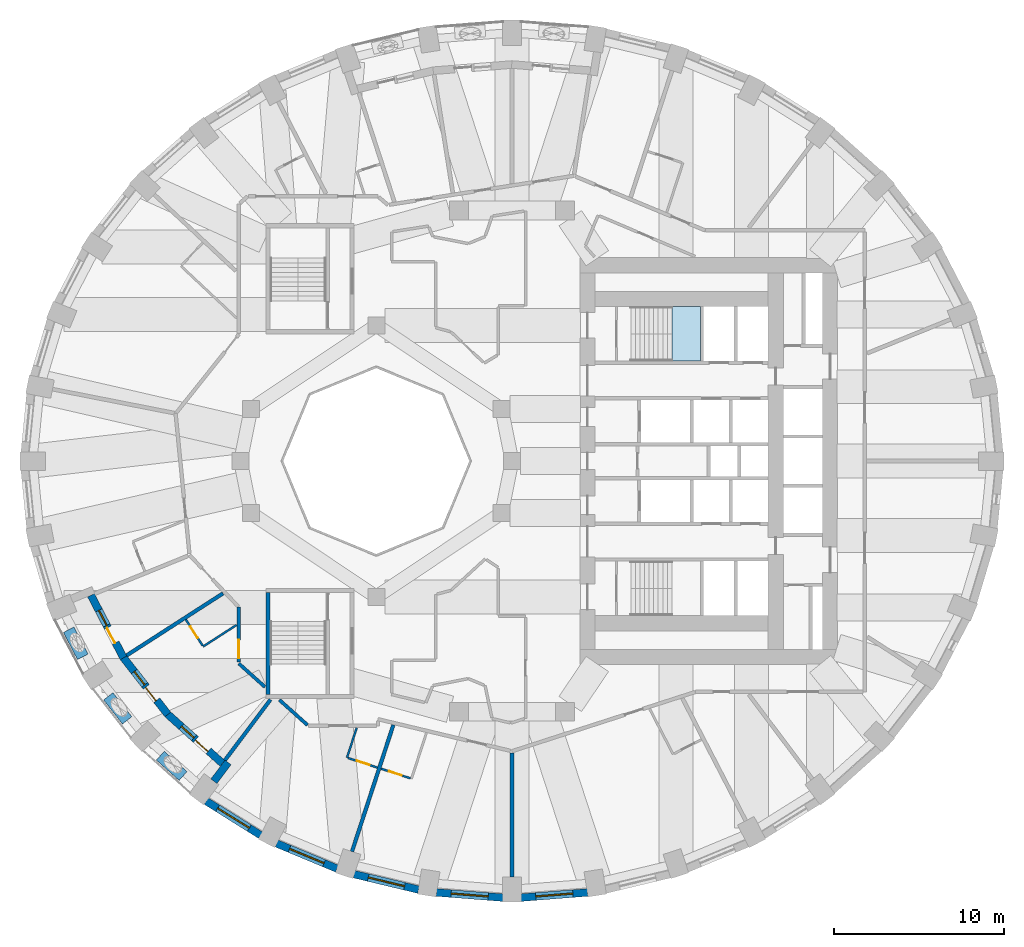
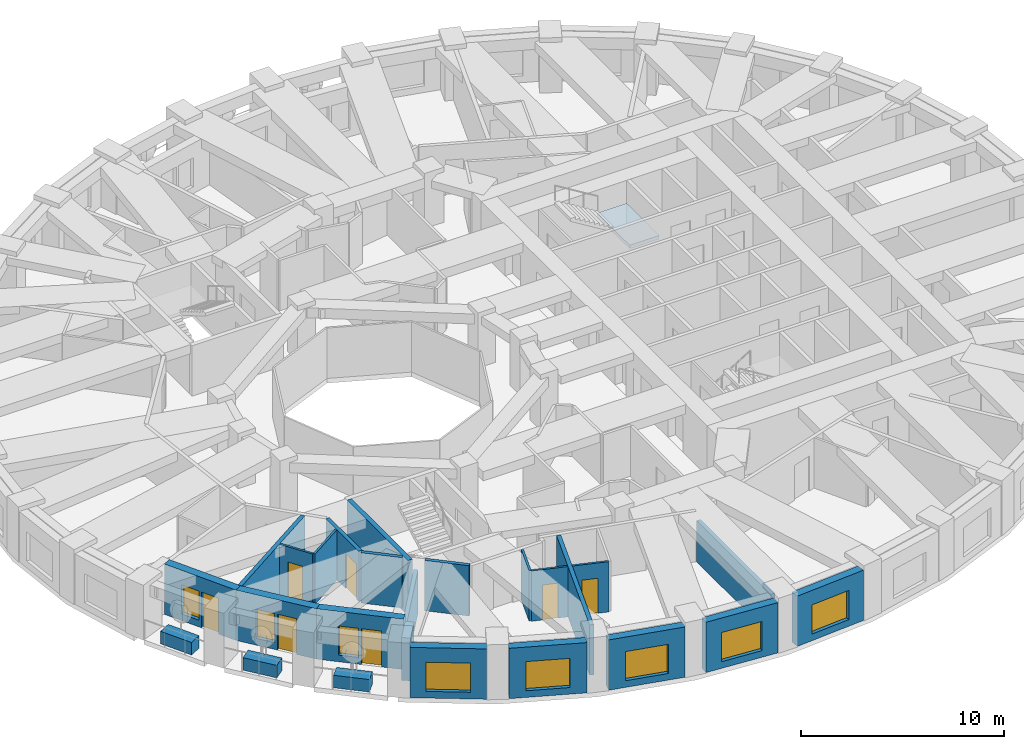
# One storey, part 3 of 13: 25 walls, 8 windows, 7 doors, 1 slab, 15 openings, 1 element without a shape of its own.
"""IFC4 building model written with IfcOpenShell, lengths in metres."""

from ifc_helpers import new_model, si_unit, direction, frame, frame_2d, origin, place, context, subcontext, project, spatial, polyline, rectangle, outline, extrude, material, layer, layer_set, constituent, constituent_set, type_object, element, fill, aggregate, save


model = new_model("IFC4")

# Units and contexts
model_context = context("Model", 3, precision=1e-05, world=origin(), true_north=direction((0.0, 1.0)))
body_context = subcontext(model_context, "Body", "Model", "MODEL_VIEW")
ifc_project = project(units=[si_unit("LENGTHUNIT", "METRE"), si_unit("AREAUNIT", "SQUARE_METRE"), si_unit("VOLUMEUNIT", "CUBIC_METRE"), si_unit("PLANEANGLEUNIT", "RADIAN"), si_unit("MASSUNIT", "GRAM", prefix="KILO")], contexts=[model_context])

# Site, building, storey
site_placement = place(None, origin())
site = spatial("IfcSite", under=ifc_project, at=site_placement, CompositionType="ELEMENT")
building_placement = place(site_placement, origin())
building = spatial("IfcBuilding", under=site, at=building_placement, Name="Taillehof Tower", CompositionType="ELEMENT")
storey_placement = place(building_placement, frame((0.0, 0.0, 51.39990234375)))
storey = spatial("IfcBuildingStorey", under=building, at=storey_placement, Name="L13", CompositionType="ELEMENT", Elevation=51.39990234375)

# Stair, slab
ifc_material_1 = material(Name="Concrete C40/50", Category="concrete")
stair_type = type_object("IfcStairType", Name="Exit stair half-turn", PredefinedType="HALF_TURN_STAIR", material=ifc_material_1)
stair_placement = place(storey_placement, origin())
stair = element("IfcStair", 1, at=stair_placement, inside=storey, type_object=stair_type, Name="Exit stair S1", PredefinedType="HALF_TURN_STAIR")
ifc_material_2 = material(Name="Concrete C40/50", Category="concrete")
ifc_layer_1 = layer(ifc_material_2, 0.2099609375)
ifc_layer_set_1 = layer_set([ifc_layer_1], Name="Stair landing C40/50 210")
slab_type = type_object("IfcSlabType", Name="Stair landing C40/50 210", PredefinedType="LANDING", material=ifc_layer_set_1)
slab_placement = place(storey_placement, frame((0.0, 0.0, 1.440185546875)))
slab = element("IfcSlab", 2, at=slab_placement, type_object=slab_type, Name="S1 landing 1", PredefinedType="LANDING", context=body_context, shape_type="SweptSolid", body=[
    extrude(outline(polyline([(9.429931640625, 5.89990234375), (11.10009765625, 5.89990234375), (11.10009765625, 9.10009765625), (9.429931640625, 9.10009765625), (9.429931640625, 5.89990234375)])), origin(), (0.0, 0.0, 1.0), 0.2099609375),
])
aggregate(stair, [slab])

# Wall, opening, window
ifc_material_3 = material(Name="Brick masonry", Category="masonry")
ifc_layer_2 = layer(ifc_material_3, 0.449951171875)
ifc_layer_set_2 = layer_set([ifc_layer_2], Name="Brick infill wall 450")
wall_type_1 = type_object("IfcWallType", Name="Brick infill wall 450", PredefinedType="SOLIDWALL", material=ifc_layer_set_2)
wall_1_placement = place(storey_placement, frame((-18.02294921875, -20.043701171875, 0.0), z_axis=(0.0, 0.0, 1.0), x_axis=(0.847635480093, -0.530579016629, 0.0)))
wall_1 = element("IfcWall", 3, at=wall_1_placement, inside=storey, type_object=wall_type_1, Name="Brick wall L13 bay 24", PredefinedType="SOLIDWALL", context=body_context, shape_type="SweptSolid", body=[
    extrude(rectangle(XDim=3.782470703125, YDim=0.449951171875, at=frame_2d((1.89111328125, 0.0))), origin(), (0.0, 0.0, 1.0), 3.02001953125),
])
opening_1_placement = place(wall_1_placement, frame((0.791259765625, 0.0, 0.39990234375)))
opening_1 = element("IfcOpeningElement", 4, at=opening_1_placement, cuts=wall_1, Name="Opening W1", PredefinedType="OPENING", context=body_context, shape_type="SweptSolid", body=[
    extrude(rectangle(XDim=2.199951171875, YDim=1.75, at=frame_2d((1.10009765625, 0.875))), frame((0.0, 0.23486328125, 0.0), z_axis=(0.0, -1.0, 0.0), x_axis=(1.0, 0.0, 0.0)), (0.0, 0.0, 1.0), 0.469970703125),
])
ifc_material_4 = material(Name="Aluminium window frame with clear double glazing", Category="aluminium")
window_type_1 = type_object("IfcWindowType", Name="Deep-set window 2200x1750", PartitioningType="SINGLE_PANEL", PredefinedType="WINDOW", material=ifc_material_4)
window_1_placement = place(opening_1_placement, origin())
window_1 = element("IfcWindow", 5, at=window_1_placement, inside=storey, type_object=window_type_1, Name="W1", OverallHeight=1.75, OverallWidth=2.199951171875, PartitioningType="SINGLE_PANEL", PredefinedType="WINDOW", context=body_context, shape_type="SweptSolid", body=[
    extrude(rectangle(XDim=2.199951171875, YDim=1.75, at=frame_2d((1.10009765625, 0.875))), frame((0.0, 0.034912109375, 0.0), z_axis=(0.0, -1.0, 0.0), x_axis=(1.0, 0.0, 0.0)), (0.0, 0.0, 1.0), 0.06005859375),
])
fill(opening_1, window_1)

wall_2_placement = place(storey_placement, frame((-13.875, -22.537353515625, 0.0), z_axis=(0.0, 0.0, 1.0), x_axis=(0.923031964282, -0.384723267966, 0.0)))
wall_2 = element("IfcWall", 6, at=wall_2_placement, inside=storey, type_object=wall_type_1, Name="Brick wall L13 bay 25", PredefinedType="SOLIDWALL", context=body_context, shape_type="SweptSolid", body=[
    extrude(rectangle(XDim=3.8564453125, YDim=0.449951171875, at=frame_2d((1.92822265625, 0.0))), origin(), (0.0, 0.0, 1.0), 3.02001953125),
])
opening_2_placement = place(wall_2_placement, frame((0.828125, 0.0, 0.39990234375)))
opening_2 = element("IfcOpeningElement", 7, at=opening_2_placement, cuts=wall_2, Name="Opening W1", PredefinedType="OPENING", context=body_context, shape_type="SweptSolid", body=[
    extrude(rectangle(XDim=2.199951171875, YDim=1.75, at=frame_2d((1.10009765625, 0.875))), frame((0.0, 0.23486328125, 0.0), z_axis=(0.0, -1.0, 0.0), x_axis=(1.0, 0.0, 0.0)), (0.0, 0.0, 1.0), 0.469970703125),
])
window_2_placement = place(opening_2_placement, origin())
window_2 = element("IfcWindow", 8, at=window_2_placement, inside=storey, type_object=window_type_1, Name="W1", OverallHeight=1.75, OverallWidth=2.199951171875, PartitioningType="SINGLE_PANEL", PredefinedType="WINDOW", context=body_context, shape_type="SweptSolid", body=[
    extrude(rectangle(XDim=2.199951171875, YDim=1.75, at=frame_2d((1.10009765625, 0.875))), frame((0.0, 0.034912109375, 0.0), z_axis=(0.0, -1.0, 0.0), x_axis=(1.0, 0.0, 0.0)), (0.0, 0.0, 1.0), 0.06005859375),
])
fill(opening_2, window_2)

wall_3_placement = place(storey_placement, frame((-9.3076171875, -24.349609375, 0.0), z_axis=(0.0, 0.0, 1.0), x_axis=(0.972496561493, -0.232917233979, 0.0)))
wall_3 = element("IfcWall", 9, at=wall_3_placement, inside=storey, type_object=wall_type_1, Name="Brick wall L13 bay 26", PredefinedType="SOLIDWALL", context=body_context, shape_type="SweptSolid", body=[
    extrude(rectangle(XDim=3.910888671875, YDim=0.449951171875, at=frame_2d((1.95556640625, 0.0))), origin(), (0.0, 0.0, 1.0), 3.02001953125),
])
opening_3_placement = place(wall_3_placement, frame((0.855224609375, 0.0, 0.39990234375)))
opening_3 = element("IfcOpeningElement", 10, at=opening_3_placement, cuts=wall_3, Name="Opening W1", PredefinedType="OPENING", context=body_context, shape_type="SweptSolid", body=[
    extrude(rectangle(XDim=2.199951171875, YDim=1.75, at=frame_2d((1.10009765625, 0.875))), frame((0.0, 0.23486328125, 0.0), z_axis=(0.0, -1.0, 0.0), x_axis=(1.0, 0.0, 0.0)), (0.0, 0.0, 1.0), 0.469970703125),
])
window_3_placement = place(opening_3_placement, origin())
window_3 = element("IfcWindow", 11, at=window_3_placement, inside=storey, type_object=window_type_1, Name="W1", OverallHeight=1.75, OverallWidth=2.199951171875, PartitioningType="SINGLE_PANEL", PredefinedType="WINDOW", context=body_context, shape_type="SweptSolid", body=[
    extrude(rectangle(XDim=2.199951171875, YDim=1.75, at=frame_2d((1.10009765625, 0.875))), frame((0.0, 0.034912109375, 0.0), z_axis=(0.0, -1.0, 0.0), x_axis=(1.0, 0.0, 0.0)), (0.0, 0.0, 1.0), 0.06005859375),
])
fill(opening_3, window_3)

wall_4_placement = place(storey_placement, frame((-4.457275390625, -25.42578125, 0.0), z_axis=(0.0, 0.0, 1.0), x_axis=(0.996955972145, -0.077966592873, 0.0)))
wall_4 = element("IfcWall", 12, at=wall_4_placement, inside=storey, type_object=wall_type_1, Name="Brick wall L13 bay 27", PredefinedType="SOLIDWALL", context=body_context, shape_type="SweptSolid", body=[
    extrude(rectangle(XDim=3.939208984375, YDim=0.449951171875, at=frame_2d((1.9697265625, 0.0))), origin(), (0.0, 0.0, 1.0), 3.02001953125),
])
opening_4_placement = place(wall_4_placement, frame((0.86962890625, 0.0, 0.39990234375)))
opening_4 = element("IfcOpeningElement", 13, at=opening_4_placement, cuts=wall_4, Name="Opening W1", PredefinedType="OPENING", context=body_context, shape_type="SweptSolid", body=[
    extrude(rectangle(XDim=2.199951171875, YDim=1.75, at=frame_2d((1.10009765625, 0.875))), frame((0.0, 0.23486328125, 0.0), z_axis=(0.0, -1.0, 0.0), x_axis=(1.0, 0.0, 0.0)), (0.0, 0.0, 1.0), 0.469970703125),
])
window_4_placement = place(opening_4_placement, origin())
window_4 = element("IfcWindow", 14, at=window_4_placement, inside=storey, type_object=window_type_1, Name="W1", OverallHeight=1.75, OverallWidth=2.199951171875, PartitioningType="SINGLE_PANEL", PredefinedType="WINDOW", context=body_context, shape_type="SweptSolid", body=[
    extrude(rectangle(XDim=2.199951171875, YDim=1.75, at=frame_2d((1.10009765625, 0.875))), frame((0.0, 0.034912109375, 0.0), z_axis=(0.0, -1.0, 0.0), x_axis=(1.0, 0.0, 0.0)), (0.0, 0.0, 1.0), 0.06005859375),
])
fill(opening_4, window_4)

wall_5_placement = place(storey_placement, frame((0.530029296875, -25.73291015625, 0.0), z_axis=(0.0, 0.0, 1.0), x_axis=(0.996955972145, 0.077966592873, 0.0)))
wall_5 = element("IfcWall", 15, at=wall_5_placement, inside=storey, type_object=wall_type_1, Name="Brick wall L13 bay 28", PredefinedType="SOLIDWALL", context=body_context, shape_type="SweptSolid", body=[
    extrude(rectangle(XDim=3.939208984375, YDim=0.449951171875, at=frame_2d((1.9697265625, 0.0))), origin(), (0.0, 0.0, 1.0), 3.02001953125),
])
opening_5_placement = place(wall_5_placement, frame((0.86962890625, 0.0, 0.39990234375)))
opening_5 = element("IfcOpeningElement", 16, at=opening_5_placement, cuts=wall_5, Name="Opening W1", PredefinedType="OPENING", context=body_context, shape_type="SweptSolid", body=[
    extrude(rectangle(XDim=2.199951171875, YDim=1.75, at=frame_2d((1.10009765625, 0.875))), frame((0.0, 0.23486328125, 0.0), z_axis=(0.0, -1.0, 0.0), x_axis=(1.0, 0.0, 0.0)), (0.0, 0.0, 1.0), 0.469970703125),
])
window_5_placement = place(opening_5_placement, origin())
window_5 = element("IfcWindow", 17, at=window_5_placement, inside=storey, type_object=window_type_1, Name="W1", OverallHeight=1.75, OverallWidth=2.199951171875, PartitioningType="SINGLE_PANEL", PredefinedType="WINDOW", context=body_context, shape_type="SweptSolid", body=[
    extrude(rectangle(XDim=2.199951171875, YDim=1.75, at=frame_2d((1.10009765625, 0.875))), frame((0.0, 0.034912109375, 0.0), z_axis=(0.0, -1.0, 0.0), x_axis=(1.0, 0.0, 0.0)), (0.0, 0.0, 1.0), 0.06005859375),
])
fill(opening_5, window_5)

# Wall
wall_6_placement = place(storey_placement, frame((-17.572021484375, -18.87060546875, 0.0), z_axis=(0.0, 0.0, 1.0), x_axis=(0.601262851241, 0.799051302306, 0.0)))
element("IfcWall", 18, at=wall_6_placement, inside=storey, type_object=wall_type_1, Name="Brick reveal L13 pocket 6", PredefinedType="SOLIDWALL", context=body_context, shape_type="SweptSolid", body=[
    extrude(rectangle(XDim=1.39111328125, YDim=0.449951171875, at=frame_2d((0.695556640625, 0.0))), origin(), (0.0, 0.0, 1.0), 2.570068359375),
])

# Wall, openings, door, window
wall_7_placement = place(storey_placement, frame((-24.81787109375, -7.90478515625, 0.0), z_axis=(0.0, 0.0, 1.0), x_axis=(0.461517123562, -0.887131300687, 0.0)))
wall_7 = element("IfcWall", 19, at=wall_7_placement, inside=storey, type_object=wall_type_1, Name="Brick wall L13 pocket bay 21", PredefinedType="SOLIDWALL", context=body_context, shape_type="SweptSolid", body=[
    extrude(rectangle(XDim=4.16162109375, YDim=0.449951171875, at=frame_2d((2.080810546875, 0.0))), origin(), (0.0, 0.0, 1.0), 3.02001953125),
])
opening_6_placement = place(wall_7_placement, frame((1.005859375, 0.0, 0.39990234375)))
opening_6 = element("IfcOpeningElement", 20, at=opening_6_placement, cuts=wall_7, Name="Opening W5", PredefinedType="OPENING", context=body_context, shape_type="SweptSolid", body=[
    extrude(rectangle(XDim=1.0, YDim=1.75, at=frame_2d((0.5, 0.875))), frame((0.0, 0.23486328125, 0.0), z_axis=(0.0, -1.0, 0.0), x_axis=(1.0, 0.0, 0.0)), (0.0, 0.0, 1.0), 0.469970703125),
])
opening_7_placement = place(wall_7_placement, frame((2.15576171875, 0.0, 0.0)))
opening_7 = element("IfcOpeningElement", 21, at=opening_7_placement, cuts=wall_7, Name="Opening D1394", PredefinedType="OPENING", context=body_context, shape_type="SweptSolid", body=[
    extrude(rectangle(XDim=1.0, YDim=2.14990234375, at=frame_2d((0.5, 1.074951171875))), frame((0.0, 0.23486328125, 0.0), z_axis=(0.0, -1.0, 0.0), x_axis=(1.0, 0.0, 0.0)), (0.0, 0.0, 1.0), 0.469970703125),
])
ifc_material_5 = material(Name="Aluminium door frame with clear double glazing", Category="aluminium")
door_type_1 = type_object("IfcDoorType", Name="Balcony door 1000x2150", OperationType="SINGLE_SWING_RIGHT", PredefinedType="DOOR", material=ifc_material_5)
door_1_placement = place(opening_7_placement, frame((1.0, 0.0, 0.0), z_axis=(0.0, 0.0, 1.0), x_axis=(-1.0, 0.0, 0.0)))
door_1 = element("IfcDoor", 22, at=door_1_placement, inside=storey, type_object=door_type_1, Name="Balcony door L13 bay 21", OperationType="SINGLE_SWING_RIGHT", OverallHeight=2.14990234375, OverallWidth=1.0, PredefinedType="DOOR", context=body_context, shape_type="SweptSolid", body=[
    extrude(rectangle(XDim=1.0, YDim=2.14990234375, at=frame_2d((0.5, 1.074951171875))), frame((0.0, 0.0751953125, 0.0), z_axis=(0.0, -1.0, 0.0), x_axis=(1.0, 0.0, 0.0)), (0.0, 0.0, 1.0), 0.050048828125),
])
fill(opening_7, door_1)
ifc_material_6 = material(Name="Aluminium window frame with clear double glazing", Category="aluminium")
window_type_2 = type_object("IfcWindowType", Name="Fixed window 1000x1750", PartitioningType="SINGLE_PANEL", PredefinedType="WINDOW", material=ifc_material_6)
window_6_placement = place(opening_6_placement, origin())
window_6 = element("IfcWindow", 23, at=window_6_placement, inside=storey, type_object=window_type_2, Name="W5", OverallHeight=1.75, OverallWidth=1.0, PartitioningType="SINGLE_PANEL", PredefinedType="WINDOW", context=body_context, shape_type="SweptSolid", body=[
    extrude(rectangle(XDim=1.0, YDim=1.75, at=frame_2d((0.5, 0.875))), frame((0.0, 0.034912109375, 0.0), z_axis=(0.0, -1.0, 0.0), x_axis=(1.0, 0.0, 0.0)), (0.0, 0.0, 1.0), 0.06005859375),
])
fill(opening_6, window_6)

wall_8_placement = place(storey_placement, frame((-22.919677734375, -11.56201171875, 0.0), z_axis=(0.0, 0.0, 1.0), x_axis=(0.615586464456, -0.788069352772, 0.0)))
wall_8 = element("IfcWall", 24, at=wall_8_placement, inside=storey, type_object=wall_type_1, Name="Brick wall L13 pocket bay 22", PredefinedType="SOLIDWALL", context=body_context, shape_type="SweptSolid", body=[
    extrude(rectangle(XDim=4.27880859375, YDim=0.449951171875, at=frame_2d((2.139404296875, 0.0))), origin(), (0.0, 0.0, 1.0), 3.02001953125),
])
opening_8_placement = place(wall_8_placement, frame((1.064453125, 0.0, 0.39990234375)))
opening_8 = element("IfcOpeningElement", 25, at=opening_8_placement, cuts=wall_8, Name="Opening W5", PredefinedType="OPENING", context=body_context, shape_type="SweptSolid", body=[
    extrude(rectangle(XDim=1.0, YDim=1.75, at=frame_2d((0.5, 0.875))), frame((0.0, 0.23486328125, 0.0), z_axis=(0.0, -1.0, 0.0), x_axis=(1.0, 0.0, 0.0)), (0.0, 0.0, 1.0), 0.469970703125),
])
opening_9_placement = place(wall_8_placement, frame((2.21435546875, 0.0, 0.0)))
opening_9 = element("IfcOpeningElement", 26, at=opening_9_placement, cuts=wall_8, Name="Opening D1395", PredefinedType="OPENING", context=body_context, shape_type="SweptSolid", body=[
    extrude(rectangle(XDim=1.0, YDim=2.14990234375, at=frame_2d((0.5, 1.074951171875))), frame((0.0, 0.23486328125, 0.0), z_axis=(0.0, -1.0, 0.0), x_axis=(1.0, 0.0, 0.0)), (0.0, 0.0, 1.0), 0.469970703125),
])
door_2_placement = place(opening_9_placement, frame((1.0, 0.0, 0.0), z_axis=(0.0, 0.0, 1.0), x_axis=(-1.0, 0.0, 0.0)))
door_2 = element("IfcDoor", 27, at=door_2_placement, inside=storey, type_object=door_type_1, Name="Balcony door L13 bay 22", OperationType="SINGLE_SWING_LEFT", OverallHeight=2.14990234375, OverallWidth=1.0, PredefinedType="DOOR", context=body_context, shape_type="SweptSolid", body=[
    extrude(rectangle(XDim=1.0, YDim=2.14990234375, at=frame_2d((0.5, 1.074951171875))), frame((0.0, 0.0751953125, 0.0), z_axis=(0.0, -1.0, 0.0), x_axis=(1.0, 0.0, 0.0)), (0.0, 0.0, 1.0), 0.050048828125),
])
fill(opening_9, door_2)
window_7_placement = place(opening_8_placement, origin())
window_7 = element("IfcWindow", 28, at=window_7_placement, inside=storey, type_object=window_type_2, Name="W5", OverallHeight=1.75, OverallWidth=1.0, PartitioningType="SINGLE_PANEL", PredefinedType="WINDOW", context=body_context, shape_type="SweptSolid", body=[
    extrude(rectangle(XDim=1.0, YDim=1.75, at=frame_2d((0.5, 0.875))), frame((0.0, 0.034912109375, 0.0), z_axis=(0.0, -1.0, 0.0), x_axis=(1.0, 0.0, 0.0)), (0.0, 0.0, 1.0), 0.06005859375),
])
fill(opening_8, window_7)

wall_9_placement = place(storey_placement, frame((-20.312744140625, -14.905029296875, 0.0), z_axis=(0.0, 0.0, 1.0), x_axis=(0.744616407434, -0.667492626012, 0.0)))
wall_9 = element("IfcWall", 29, at=wall_9_placement, inside=storey, type_object=wall_type_1, Name="Brick wall L13 pocket bay 23", PredefinedType="SOLIDWALL", context=body_context, shape_type="SweptSolid", body=[
    extrude(rectangle(XDim=4.365234375, YDim=0.449951171875, at=frame_2d((2.1826171875, 0.0))), origin(), (0.0, 0.0, 1.0), 3.02001953125),
])
opening_10_placement = place(wall_9_placement, frame((1.107666015625, 0.0, 0.39990234375)))
opening_10 = element("IfcOpeningElement", 30, at=opening_10_placement, cuts=wall_9, Name="Opening W5", PredefinedType="OPENING", context=body_context, shape_type="SweptSolid", body=[
    extrude(rectangle(XDim=1.0, YDim=1.75, at=frame_2d((0.5, 0.875))), frame((0.0, 0.23486328125, 0.0), z_axis=(0.0, -1.0, 0.0), x_axis=(1.0, 0.0, 0.0)), (0.0, 0.0, 1.0), 0.469970703125),
])
opening_11_placement = place(wall_9_placement, frame((2.2578125, 0.0, 0.0)))
opening_11 = element("IfcOpeningElement", 31, at=opening_11_placement, cuts=wall_9, Name="Opening D1396", PredefinedType="OPENING", context=body_context, shape_type="SweptSolid", body=[
    extrude(rectangle(XDim=1.0, YDim=2.14990234375, at=frame_2d((0.5, 1.074951171875))), frame((0.0, 0.23486328125, 0.0), z_axis=(0.0, -1.0, 0.0), x_axis=(1.0, 0.0, 0.0)), (0.0, 0.0, 1.0), 0.469970703125),
])
door_3_placement = place(opening_11_placement, frame((1.0, 0.0, 0.0), z_axis=(0.0, 0.0, 1.0), x_axis=(-1.0, 0.0, 0.0)))
door_3 = element("IfcDoor", 32, at=door_3_placement, inside=storey, type_object=door_type_1, Name="Balcony door L13 bay 23", OperationType="SINGLE_SWING_LEFT", OverallHeight=2.14990234375, OverallWidth=1.0, PredefinedType="DOOR", context=body_context, shape_type="SweptSolid", body=[
    extrude(rectangle(XDim=1.0, YDim=2.14990234375, at=frame_2d((0.5, 1.074951171875))), frame((0.0, 0.0751953125, 0.0), z_axis=(0.0, -1.0, 0.0), x_axis=(1.0, 0.0, 0.0)), (0.0, 0.0, 1.0), 0.050048828125),
])
fill(opening_11, door_3)
window_8_placement = place(opening_10_placement, origin())
window_8 = element("IfcWindow", 33, at=window_8_placement, inside=storey, type_object=window_type_2, Name="W5", OverallHeight=1.75, OverallWidth=1.0, PartitioningType="SINGLE_PANEL", PredefinedType="WINDOW", context=body_context, shape_type="SweptSolid", body=[
    extrude(rectangle(XDim=1.0, YDim=1.75, at=frame_2d((0.5, 0.875))), frame((0.0, 0.034912109375, 0.0), z_axis=(0.0, -1.0, 0.0), x_axis=(1.0, 0.0, 0.0)), (0.0, 0.0, 1.0), 0.06005859375),
])
fill(opening_10, window_8)

# Wall
ifc_material_7 = material(Name="Gypsum board on steel studs, two layers each side", Category="steel")
ifc_layer_3 = layer(ifc_material_7, 0.199951171875)
ifc_layer_set_3 = layer_set([ifc_layer_3], Name="Compartment wall corridor 200")
wall_type_2 = type_object("IfcWallType", Name="Compartment wall corridor 200", PredefinedType="PARTITIONING", material=ifc_layer_set_3)
wall_10_placement = place(storey_placement, frame((-14.559326171875, -13.314208984375, 0.0), z_axis=(0.0, 0.0, 1.0), x_axis=(-0.744636171002, 0.667470578254, 0.0)))
element("IfcWall", 34, at=wall_10_placement, inside=storey, type_object=wall_type_2, Name="Compartment wall", PredefinedType="PARTITIONING", context=body_context, shape_type="SweptSolid", body=[
    extrude(rectangle(XDim=2.069091796875, YDim=0.199951171875, at=frame_2d((1.03466796875, 0.0))), origin(), (0.0, 0.0, 1.0), 3.02001953125),
])

# Wall, opening, door
wall_11_placement = place(storey_placement, frame((-16.10009765625, -11.85302734375, 0.0), z_axis=(0.0, 0.0, 1.0), x_axis=(0.0, 1.0, 0.0)))
wall_11 = element("IfcWall", 35, at=wall_11_placement, inside=storey, type_object=wall_type_2, Name="Compartment wall", PredefinedType="PARTITIONING", context=body_context, shape_type="SweptSolid", body=[
    extrude(rectangle(XDim=3.244140625, YDim=0.199951171875, at=frame_2d((1.6220703125, 0.0))), origin(), (0.0, 0.0, 1.0), 3.02001953125),
])
opening_12_placement = place(wall_11_placement, frame((0.219970703125, 0.0, 0.0)))
opening_12 = element("IfcOpeningElement", 36, at=opening_12_placement, cuts=wall_11, Name="Opening D1355", PredefinedType="OPENING", context=body_context, shape_type="SweptSolid", body=[
    extrude(rectangle(XDim=1.10009765625, YDim=2.10009765625, at=frame_2d((0.550048828125, 1.050048828125))), frame((0.0, 0.10986328125, 0.0), z_axis=(0.0, -1.0, 0.0), x_axis=(1.0, 0.0, 0.0)), (0.0, 0.0, 1.0), 0.219970703125),
])
ifc_material_8 = material(Name="Timber door leaf in steel frame", Category="steel")
door_type_2 = type_object("IfcDoorType", Name="Suite entrance door EI 30 1100 x 2100", OperationType="SINGLE_SWING_LEFT", PredefinedType="DOOR", material=ifc_material_8)
door_4_placement = place(opening_12_placement, origin())
door_4 = element("IfcDoor", 37, at=door_4_placement, inside=storey, type_object=door_type_2, Name="D1355", OperationType="SINGLE_SWING_RIGHT", OverallHeight=2.10009765625, OverallWidth=1.10009765625, PredefinedType="DOOR", context=body_context, shape_type="SweptSolid", body=[
    extrude(rectangle(XDim=1.10009765625, YDim=2.10009765625, at=frame_2d((0.550048828125, 1.050048828125))), frame((0.0, 0.02490234375, 0.0), z_axis=(0.0, -1.0, 0.0), x_axis=(1.0, 0.0, 0.0)), (0.0, 0.0, 1.0), 0.050048828125),
])
fill(opening_12, door_4)

# Walls
wall_12_placement = place(storey_placement, frame((-12.053955078125, -15.559814453125, 0.0), z_axis=(0.0, 0.0, 1.0), x_axis=(-0.744625700487, 0.66748225907, 0.0)))
element("IfcWall", 38, at=wall_12_placement, inside=storey, type_object=wall_type_2, Name="Compartment wall", PredefinedType="PARTITIONING", context=body_context, shape_type="SweptSolid", body=[
    extrude(rectangle(XDim=2.231201171875, YDim=0.199951171875, at=frame_2d((1.11572265625, 0.0))), origin(), (0.0, 0.0, 1.0), 3.02001953125),
])
ifc_material_9 = material(Name="Gypsum board on double steel studs with mineral wool", Category="steel")
ifc_layer_4 = layer(ifc_material_9, 0.219970703125)
ifc_layer_set_4 = layer_set([ifc_layer_4], Name="Compartment wall guest room 220")
wall_type_3 = type_object("IfcWallType", Name="Compartment wall guest room 220", PredefinedType="PARTITIONING", material=ifc_layer_set_4)
wall_13_placement = place(storey_placement, frame((-22.717041015625, -11.455810546875, 0.0), z_axis=(0.0, 0.0, 1.0), x_axis=(0.840775666807, 0.541383669965, 0.0)))
element("IfcWall", 39, at=wall_13_placement, inside=storey, type_object=wall_type_3, Name="Compartment wall", PredefinedType="PARTITIONING", context=body_context, shape_type="SweptSolid", body=[
    extrude(rectangle(XDim=6.758544921875, YDim=0.219970703125, at=frame_2d((3.37939453125, 0.0))), origin(), (0.0, 0.0, 1.0), 3.02001953125),
])
wall_14_placement = place(storey_placement, frame((-16.926513671875, -17.638427734375, 0.0), z_axis=(0.0, 0.0, 1.0), x_axis=(0.601158965663, 0.799129462605, 0.0)))
element("IfcWall", 40, at=wall_14_placement, inside=storey, type_object=wall_type_3, Name="Compartment wall", PredefinedType="PARTITIONING", context=body_context, shape_type="SweptSolid", body=[
    extrude(rectangle(XDim=4.480224609375, YDim=0.219970703125, at=frame_2d((2.240234375, 0.0))), origin(), (0.0, 0.0, 1.0), 2.570068359375),
])
wall_15_placement = place(storey_placement, frame((-9.429443359375, -23.01416015625, 0.0), z_axis=(0.0, 0.0, 1.0), x_axis=(0.310249775859, 0.950655077607, 0.0)))
element("IfcWall", 41, at=wall_15_placement, inside=storey, type_object=wall_type_3, Name="Compartment wall", PredefinedType="PARTITIONING", context=body_context, shape_type="SweptSolid", body=[
    extrude(rectangle(XDim=7.849609375, YDim=0.219970703125, at=frame_2d((3.9248046875, 0.0))), origin(), (0.0, 0.0, 1.0), 3.02001953125),
])
wall_16_placement = place(storey_placement, frame((0.0, -24.5, 0.0), z_axis=(0.0, 0.0, 1.0), x_axis=(0.0, 1.0, 0.0)))
element("IfcWall", 42, at=wall_16_placement, inside=storey, type_object=wall_type_3, Name="Compartment wall", PredefinedType="PARTITIONING", context=body_context, shape_type="SweptSolid", body=[
    extrude(rectangle(XDim=7.2998046875, YDim=0.219970703125, at=frame_2d((3.64990234375, 0.0))), origin(), (0.0, 0.0, 1.0), 2.47021484375),
])
ifc_material_10 = material(Name="Gypsum board on steel studs, moisture resistant", Category="steel")
ifc_layer_5 = layer(ifc_material_10, 0.1201171875)
ifc_layer_set_5 = layer_set([ifc_layer_5], Name="En-suite wall 120")
wall_type_4 = type_object("IfcWallType", Name="En-suite wall 120", PredefinedType="PARTITIONING", material=ifc_layer_set_5)
wall_17_placement = place(storey_placement, frame((-16.23388671875, -9.65966796875, 0.0), z_axis=(0.0, 0.0, 1.0), x_axis=(-0.840731269954, -0.541452612628, 0.0)))
element("IfcWall", 43, at=wall_17_placement, inside=storey, type_object=wall_type_4, Name="En-suite wall", PredefinedType="PARTITIONING", context=body_context, shape_type="SweptSolid", body=[
    extrude(rectangle(XDim=2.3427734375, YDim=0.1201171875, at=frame_2d((1.17138671875, 0.0))), origin(), (0.0, 0.0, 1.0), 3.02001953125),
])
wall_18_placement = place(storey_placement, frame((-9.152587890625, -15.71923828125, 0.0), z_axis=(0.0, 0.0, 1.0), x_axis=(-0.310326382186, -0.950630073435, 0.0)))
element("IfcWall", 44, at=wall_18_placement, inside=storey, type_object=wall_type_4, Name="En-suite wall", PredefinedType="PARTITIONING", context=body_context, shape_type="SweptSolid", body=[
    extrude(rectangle(XDim=1.85107421875, YDim=0.1201171875, at=frame_2d((0.925537109375, 0.0))), origin(), (0.0, 0.0, 1.0), 3.02001953125),
])

# Wall, opening, door
wall_19_placement = place(storey_placement, frame((-18.23583984375, -10.877685546875, 0.0), z_axis=(0.0, 0.0, 1.0), x_axis=(-0.54164058606, 0.840610180484, 0.0)))
wall_19 = element("IfcWall", 45, at=wall_19_placement, inside=storey, type_object=wall_type_4, Name="En-suite wall", PredefinedType="PARTITIONING", context=body_context, shape_type="SweptSolid", body=[
    extrude(rectangle(XDim=1.830078125, YDim=0.1201171875, at=frame_2d((0.9150390625, 0.0))), origin(), (0.0, 0.0, 1.0), 3.02001953125),
])
opening_13_placement = place(wall_19_placement, frame((0.5400390625, 0.0, 0.0)))
opening_13 = element("IfcOpeningElement", 46, at=opening_13_placement, cuts=wall_19, Name="Opening D1356", PredefinedType="OPENING", context=body_context, shape_type="SweptSolid", body=[
    extrude(rectangle(XDim=0.800048828125, YDim=2.10009765625, at=frame_2d((0.39990234375, 1.050048828125))), frame((0.0, 0.070068359375, 0.0), z_axis=(0.0, -1.0, 0.0), x_axis=(1.0, 0.0, 0.0)), (0.0, 0.0, 1.0), 0.14013671875),
])
ifc_material_11 = material(Name="Timber door leaf in steel frame", Category="steel")
door_type_3 = type_object("IfcDoorType", Name="En-suite door 800 x 2100", OperationType="SINGLE_SWING_LEFT", PredefinedType="DOOR", material=ifc_material_11)
door_5_placement = place(opening_13_placement, origin())
door_5 = element("IfcDoor", 47, at=door_5_placement, inside=storey, type_object=door_type_3, Name="D1356", OperationType="SINGLE_SWING_RIGHT", OverallHeight=2.10009765625, OverallWidth=0.800048828125, PredefinedType="DOOR", context=body_context, shape_type="SweptSolid", body=[
    extrude(rectangle(XDim=0.800048828125, YDim=2.10009765625, at=frame_2d((0.39990234375, 1.050048828125))), frame((0.0, 0.02490234375, 0.0), z_axis=(0.0, -1.0, 0.0), x_axis=(1.0, 0.0, 0.0)), (0.0, 0.0, 1.0), 0.050048828125),
])
fill(opening_13, door_5)

wall_20_placement = place(storey_placement, frame((-9.669921875, -17.49755859375, 0.0), z_axis=(0.0, 0.0, 1.0), x_axis=(0.950678536911, -0.31017788357, 0.0)))
wall_20 = element("IfcWall", 48, at=wall_20_placement, inside=storey, type_object=wall_type_4, Name="En-suite wall", PredefinedType="PARTITIONING", context=body_context, shape_type="SweptSolid", body=[
    extrude(rectangle(XDim=1.830078125, YDim=0.1201171875, at=frame_2d((0.9150390625, 0.0))), origin(), (0.0, 0.0, 1.0), 3.02001953125),
])
opening_14_placement = place(wall_20_placement, frame((0.5400390625, 0.0, 0.0)))
opening_14 = element("IfcOpeningElement", 49, at=opening_14_placement, cuts=wall_20, Name="Opening D1358", PredefinedType="OPENING", context=body_context, shape_type="SweptSolid", body=[
    extrude(rectangle(XDim=0.800048828125, YDim=2.10009765625, at=frame_2d((0.39990234375, 1.050048828125))), frame((0.0, 0.070068359375, 0.0), z_axis=(0.0, -1.0, 0.0), x_axis=(1.0, 0.0, 0.0)), (0.0, 0.0, 1.0), 0.14013671875),
])
door_6_placement = place(opening_14_placement, origin())
door_6 = element("IfcDoor", 50, at=door_6_placement, inside=storey, type_object=door_type_3, Name="D1358", OperationType="SINGLE_SWING_LEFT", OverallHeight=2.10009765625, OverallWidth=0.800048828125, PredefinedType="DOOR", context=body_context, shape_type="SweptSolid", body=[
    extrude(rectangle(XDim=0.800048828125, YDim=2.10009765625, at=frame_2d((0.39990234375, 1.050048828125))), frame((0.0, 0.02490234375, 0.0), z_axis=(0.0, -1.0, 0.0), x_axis=(1.0, 0.0, 0.0)), (0.0, 0.0, 1.0), 0.050048828125),
])
fill(opening_14, door_6)

wall_21_placement = place(storey_placement, frame((-5.9814453125, -18.701416015625, 0.0), z_axis=(0.0, 0.0, 1.0), x_axis=(-0.950639191072, 0.310298450524, 0.0)))
wall_21 = element("IfcWall", 51, at=wall_21_placement, inside=storey, type_object=wall_type_4, Name="En-suite wall", PredefinedType="PARTITIONING", context=body_context, shape_type="SweptSolid", body=[
    extrude(rectangle(XDim=1.830078125, YDim=0.1201171875, at=frame_2d((0.9150390625, 0.0))), origin(), (0.0, 0.0, 1.0), 3.02001953125),
])
opening_15_placement = place(wall_21_placement, frame((0.5400390625, 0.0, 0.0)))
opening_15 = element("IfcOpeningElement", 52, at=opening_15_placement, cuts=wall_21, Name="Opening D1360", PredefinedType="OPENING", context=body_context, shape_type="SweptSolid", body=[
    extrude(rectangle(XDim=0.800048828125, YDim=2.10009765625, at=frame_2d((0.39990234375, 1.050048828125))), frame((0.0, 0.070068359375, 0.0), z_axis=(0.0, -1.0, 0.0), x_axis=(1.0, 0.0, 0.0)), (0.0, 0.0, 1.0), 0.14013671875),
])
door_7_placement = place(opening_15_placement, origin())
door_7 = element("IfcDoor", 53, at=door_7_placement, inside=storey, type_object=door_type_3, Name="D1360", OperationType="SINGLE_SWING_LEFT", OverallHeight=2.10009765625, OverallWidth=0.800048828125, PredefinedType="DOOR", context=body_context, shape_type="SweptSolid", body=[
    extrude(rectangle(XDim=0.800048828125, YDim=2.10009765625, at=frame_2d((0.39990234375, 1.050048828125))), frame((0.0, 0.02490234375, 0.0), z_axis=(0.0, -1.0, 0.0), x_axis=(1.0, 0.0, 0.0)), (0.0, 0.0, 1.0), 0.050048828125),
])
fill(opening_15, door_7)

# Walls
ifc_material_12 = material(Name="Concrete C30/37 precast", Category="concrete")
ifc_constituent_1 = constituent(ifc_material_12, Name="Structure", Category="concrete")
ifc_material_13 = material(Name="Insulated lining")
ifc_constituent_2 = constituent(ifc_material_13, Name="Lining")
ifc_constituent_set = constituent_set(constituents=[ifc_constituent_1, ifc_constituent_2], Name="Planter trough 700x750")
wall_type_5 = type_object("IfcWallType", Name="Planter trough 700x750", PredefinedType="USERDEFINED", material=ifc_constituent_set)
wall_22_placement = place(storey_placement, frame((-26.132568359375, -9.94091796875, 0.0), z_axis=(0.0, 0.0, 1.0), x_axis=(0.462501112253, -0.886618701114, 0.0)))
element("IfcWall", 54, at=wall_22_placement, inside=storey, type_object=wall_type_5, Name="Planter L13 bay 21", ObjectType="PLANTER", PredefinedType="USERDEFINED", context=body_context, shape_type="SweptSolid", body=[
    extrude(rectangle(XDim=1.800048828125, YDim=0.699951171875, at=frame_2d((0.89990234375, 0.0))), origin(), (0.0, 0.0, 1.0), 0.75),
])
wall_23_placement = place(storey_placement, frame((-23.79541015625, -13.8642578125, 0.0), z_axis=(0.0, 0.0, 1.0), x_axis=(0.616622746332, -0.787258781282, 0.0)))
element("IfcWall", 55, at=wall_23_placement, inside=storey, type_object=wall_type_5, Name="Planter L13 bay 22", ObjectType="PLANTER", PredefinedType="USERDEFINED", context=body_context, shape_type="SweptSolid", body=[
    extrude(rectangle(XDim=1.7998046875, YDim=0.699951171875, at=frame_2d((0.89990234375, 0.0))), origin(), (0.0, 0.0, 1.0), 0.75),
])
wall_24_placement = place(storey_placement, frame((-20.72998046875, -17.362548828125, 0.0), z_axis=(0.0, 0.0, 1.0), x_axis=(0.745535653445, -0.666465745139, 0.0)))
element("IfcWall", 56, at=wall_24_placement, inside=storey, type_object=wall_type_5, Name="Planter L13 bay 23", ObjectType="PLANTER", PredefinedType="USERDEFINED", context=body_context, shape_type="SweptSolid", body=[
    extrude(rectangle(XDim=1.800048828125, YDim=0.699951171875, at=frame_2d((0.89990234375, 0.0))), origin(), (0.0, 0.0, 1.0), 0.75),
])
ifc_material_14 = material(Name="Concrete C50/60", Category="concrete")
ifc_layer_6 = layer(ifc_material_14, 0.25)
ifc_layer_set_6 = layer_set([ifc_layer_6], Name="Stair wall C50/60 250")
wall_type_6 = type_object("IfcWallType", Name="Stair wall C50/60 250", PredefinedType="SHEAR", material=ifc_layer_set_6)
wall_25_placement = place(storey_placement, frame((-14.375, -13.75, -0.27978515625), z_axis=(0.0, 0.0, 1.0), x_axis=(0.0, 1.0, 0.0)))
element("IfcWall", 57, at=wall_25_placement, inside=storey, type_object=wall_type_6, Name="Stair wall SC", PredefinedType="SHEAR", context=body_context, shape_type="SweptSolid", body=[
    extrude(rectangle(XDim=6.0, YDim=0.25, at=frame_2d((3.0, 0.0))), origin(), (0.0, 0.0, 1.0), 3.2998046875),
])

save(model, "model.ifc")
